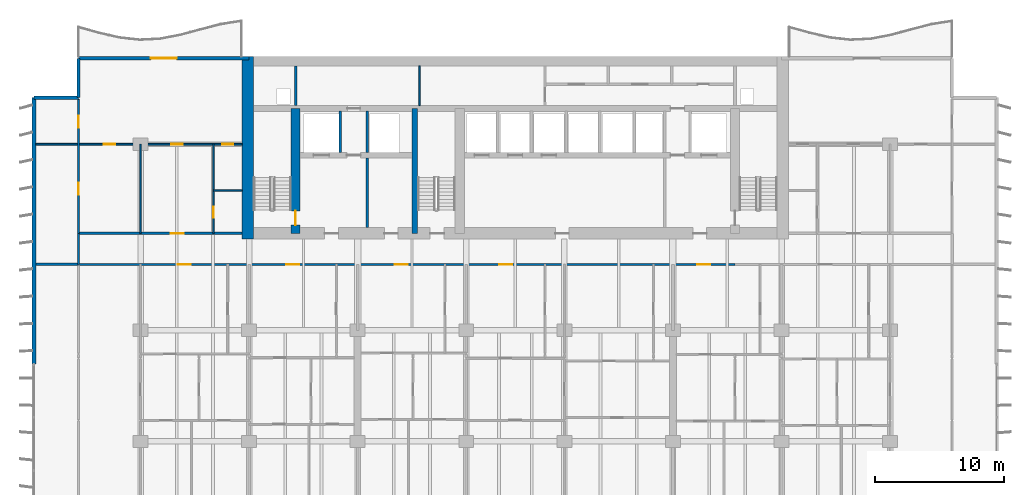
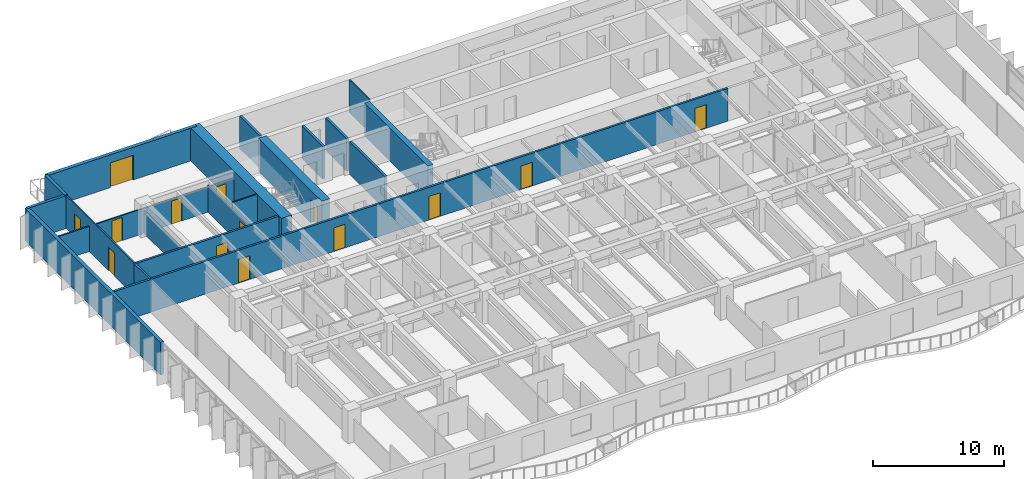
# One storey, part 10 of 18: 21 walls, 14 doors, 14 openings.
"""IFC4 building model written with IfcOpenShell, lengths in metres."""

from ifc_helpers import new_model, si_unit, direction, frame, frame_2d, origin, place, context, subcontext, project, spatial, rectangle, extrude, material, layer, layer_set, type_object, element, fill, save


model = new_model("IFC4")

# Units and contexts
model_context = context("Model", 3, precision=1e-05, world=origin(), true_north=direction((0.0, 1.0)))
body_context = subcontext(model_context, "Body", "Model", "MODEL_VIEW")
ifc_project = project(units=[si_unit("LENGTHUNIT", "METRE"), si_unit("AREAUNIT", "SQUARE_METRE"), si_unit("VOLUMEUNIT", "CUBIC_METRE"), si_unit("PLANEANGLEUNIT", "RADIAN"), si_unit("MASSUNIT", "GRAM", prefix="KILO")], contexts=[model_context])

# Site, building, storey
site_placement = place(None, origin())
site = spatial("IfcSite", under=ifc_project, at=site_placement, CompositionType="ELEMENT")
building_placement = place(site_placement, origin())
building = spatial("IfcBuilding", under=site, at=building_placement, Name="Caelmar Bay Residences", CompositionType="ELEMENT")
storey_placement = place(building_placement, frame((0.0, 0.0, 36.60009765625)))
storey = spatial("IfcBuildingStorey", under=building, at=storey_placement, Name="L08", CompositionType="ELEMENT", Elevation=36.60009765625)

# Wall, opening, door
ifc_material_1 = material(Name="Concrete f'c 55 MPa (8,000 psi)", Category="concrete")
ifc_layer_1 = layer(ifc_material_1, 0.699951171875)
ifc_layer_set_1 = layer_set([ifc_layer_1], Name="Concrete f'c 55 MPa (8,000 psi)")
wall_type_1 = type_object("IfcWallType", Name="SW-COR-700", PredefinedType="SHEAR", material=ifc_layer_set_1)
wall_1_placement = place(storey_placement, frame((21.89990234375, 36.89990234375, 0.0), z_axis=(0.0, 0.0, 1.0), x_axis=(0.0, 1.0, 0.0)))
wall_1 = element("IfcWall", 1, at=wall_1_placement, inside=storey, type_object=wall_type_1, Name="L08 Core Structural Web Wall ST1E", PredefinedType="SHEAR", context=body_context, shape_type="SweptSolid", body=[
    extrude(rectangle(XDim=9.675048828125, YDim=0.699951171875, at=frame_2d((4.83740234375, 0.0))), origin(), (0.0, 0.0, 1.0), 3.0498046875),
])
opening_1_placement = place(wall_1_placement, frame((0.64990234375, 0.0, 0.0)))
opening_1 = element("IfcOpeningElement", 2, at=opening_1_placement, cuts=wall_1, Name="Opening D-L08-108", PredefinedType="OPENING", context=body_context, shape_type="SweptSolid", body=[
    extrude(rectangle(XDim=1.10009765625, YDim=2.14990234375, at=frame_2d((0.550048828125, 1.074951171875))), frame((0.0, 0.35986328125, 0.0), z_axis=(0.0, -1.0, 0.0), x_axis=(1.0, 0.0, 0.0)), (0.0, 0.0, 1.0), 0.719970703125),
])
ifc_material_2 = material(Name="Fire-rated steel and walnut architectural door assembly", Category="steel")
ifc_layer_2 = layer(ifc_material_2, 0.050048828125)
ifc_layer_set_2 = layer_set([ifc_layer_2], Name="Fire-rated steel and walnut architectural door assembly")
door_type_1 = type_object("IfcDoorType", Name="D-STAIR-1100", OperationType="NOTDEFINED", PredefinedType="DOOR", material=ifc_layer_set_2)
door_1_placement = place(opening_1_placement, origin())
door_1 = element("IfcDoor", 3, at=door_1_placement, inside=storey, type_object=door_type_1, Name="L08 Firefighting Lobby West Door", OperationType="SINGLE_SWING_RIGHT", OverallHeight=2.14990234375, OverallWidth=1.10009765625, PredefinedType="DOOR", context=body_context, shape_type="SweptSolid", body=[
    extrude(rectangle(XDim=1.10009765625, YDim=2.14990234375, at=frame_2d((0.550048828125, 1.074951171875))), frame((0.0, 0.02490234375, 0.0), z_axis=(0.0, -1.0, 0.0), x_axis=(1.0, 0.0, 0.0)), (0.0, 0.0, 1.0), 0.050048828125),
])
fill(opening_1, door_1)

# Walls
ifc_material_3 = material(Name="Concrete f'c 70 MPa (10,000 psi)", Category="concrete")
ifc_layer_3 = layer(ifc_material_3, 0.89990234375)
ifc_layer_set_3 = layer_set([ifc_layer_3], Name="Concrete f'c 70 MPa (10,000 psi)")
wall_type_2 = type_object("IfcWallType", Name="SW-COR-900", PredefinedType="SHEAR", material=ifc_layer_set_3)
wall_2_placement = place(storey_placement, frame((18.199951171875, 36.449951171875, 0.0), z_axis=(0.0, 0.0, 1.0), x_axis=(0.0, 1.0, 0.0)))
element("IfcWall", 4, at=wall_2_placement, inside=storey, type_object=wall_type_2, Name="L08 Rear Core West Shear Wall", PredefinedType="SHEAR", context=body_context, shape_type="SweptSolid", body=[
    extrude(rectangle(XDim=14.150146484375, YDim=0.89990234375, at=frame_2d((7.0751953125, 0.0))), origin(), (0.0, 0.0, 1.0), 3.0498046875),
])
ifc_layer_4 = layer(ifc_material_3, 0.449951171875)
ifc_layer_set_4 = layer_set([ifc_layer_4], Name="Concrete f'c 70 MPa (10,000 psi)")
wall_type_3 = type_object("IfcWallType", Name="SW-WEB-450", PredefinedType="SHEAR", material=ifc_layer_set_4)
wall_3_placement = place(storey_placement, frame((31.125, 36.89990234375, 0.0), z_axis=(0.0, 0.0, 1.0), x_axis=(0.0, 1.0, 0.0)))
element("IfcWall", 5, at=wall_3_placement, inside=storey, type_object=wall_type_3, Name="L08 Core Structural Web Wall ST3W", PredefinedType="SHEAR", context=body_context, shape_type="SweptSolid", body=[
    extrude(rectangle(XDim=9.675048828125, YDim=0.449951171875, at=frame_2d((4.83740234375, 0.0))), origin(), (0.0, 0.0, 1.0), 3.0498046875),
])
ifc_material_4 = material(Name="Double-stud acoustic fire-rated gypsum partition 180 mm")
ifc_layer_5 = layer(ifc_material_4, 0.179931640625)
ifc_layer_set_5 = layer_set([ifc_layer_5], Name="Double-stud acoustic fire-rated gypsum partition 180 mm")
wall_type_4 = type_object("IfcWallType", Name="W-COR-200", PredefinedType="PARTITIONING", material=ifc_layer_set_5)
wall_4_placement = place(storey_placement, frame((5.10009765625, 34.5048828125, 0.0), z_axis=(0.0, 0.0, 1.0), x_axis=(0.0, 1.0, 0.0)))
element("IfcWall", 6, at=wall_4_placement, inside=storey, type_object=wall_type_4, Name="L08 Partition Wall V005", PredefinedType="PARTITIONING", context=body_context, shape_type="SweptSolid", body=[
    extrude(rectangle(XDim=2.39501953125, YDim=0.179931640625, at=frame_2d((1.197509765625, 0.0))), origin(), (0.0, 0.0, 1.0), 3.0498046875),
])

# Wall, openings, doors
wall_5_placement = place(storey_placement, frame((5.10498046875, 34.5, 0.0), z_axis=(0.0, 0.0, 1.0), x_axis=(1.0, 0.0, 0.0)))
wall_5 = element("IfcWall", 7, at=wall_5_placement, inside=storey, type_object=wall_type_4, Name="L08 Partition Wall H127", PredefinedType="PARTITIONING", context=body_context, shape_type="SweptSolid", body=[
    extrude(rectangle(XDim=50.781005859375, YDim=0.179931640625, at=frame_2d((25.390625, 0.0))), origin(), (0.0, 0.0, 1.0), 3.0498046875),
])
opening_2_placement = place(wall_5_placement, frame((7.669921875, 0.0, 0.0)))
opening_2 = element("IfcOpeningElement", 8, at=opening_2_placement, cuts=wall_5, Name="Opening D-L08-121", PredefinedType="OPENING", context=body_context, shape_type="SweptSolid", body=[
    extrude(rectangle(XDim=1.0, YDim=2.199951171875, at=frame_2d((0.5, 1.10009765625))), frame((0.0, 0.099853515625, 0.0), z_axis=(0.0, -1.0, 0.0), x_axis=(1.0, 0.0, 0.0)), (0.0, 0.0, 1.0), 0.199951171875),
])
opening_3_placement = place(wall_5_placement, frame((16.070068359375, 0.0, 0.0)))
opening_3 = element("IfcOpeningElement", 9, at=opening_3_placement, cuts=wall_5, Name="Opening D-L08-129", PredefinedType="OPENING", context=body_context, shape_type="SweptSolid", body=[
    extrude(rectangle(XDim=1.0, YDim=2.199951171875, at=frame_2d((0.5, 1.10009765625))), frame((0.0, 0.099853515625, 0.0), z_axis=(0.0, -1.0, 0.0), x_axis=(1.0, 0.0, 0.0)), (0.0, 0.0, 1.0), 0.199951171875),
])
opening_4_placement = place(wall_5_placement, frame((24.469970703125, 0.0, 0.0)))
opening_4 = element("IfcOpeningElement", 10, at=opening_4_placement, cuts=wall_5, Name="Opening D-L08-136", PredefinedType="OPENING", context=body_context, shape_type="SweptSolid", body=[
    extrude(rectangle(XDim=1.0, YDim=2.199951171875, at=frame_2d((0.5, 1.10009765625))), frame((0.0, 0.099853515625, 0.0), z_axis=(0.0, -1.0, 0.0), x_axis=(1.0, 0.0, 0.0)), (0.0, 0.0, 1.0), 0.199951171875),
])
opening_5_placement = place(wall_5_placement, frame((32.544921875, 0.0, 0.0)))
opening_5 = element("IfcOpeningElement", 11, at=opening_5_placement, cuts=wall_5, Name="Opening D-L08-143", PredefinedType="OPENING", context=body_context, shape_type="SweptSolid", body=[
    extrude(rectangle(XDim=1.0, YDim=2.199951171875, at=frame_2d((0.5, 1.10009765625))), frame((0.0, 0.099853515625, 0.0), z_axis=(0.0, -1.0, 0.0), x_axis=(1.0, 0.0, 0.0)), (0.0, 0.0, 1.0), 0.199951171875),
])
opening_6_placement = place(wall_5_placement, frame((47.887939453125, 0.0, 0.0)))
opening_6 = element("IfcOpeningElement", 12, at=opening_6_placement, cuts=wall_5, Name="Opening D-L08-152", PredefinedType="OPENING", context=body_context, shape_type="SweptSolid", body=[
    extrude(rectangle(XDim=1.0, YDim=2.199951171875, at=frame_2d((0.5, 1.10009765625))), frame((0.0, 0.099853515625, 0.0), z_axis=(0.0, -1.0, 0.0), x_axis=(1.0, 0.0, 0.0)), (0.0, 0.0, 1.0), 0.199951171875),
])
ifc_layer_6 = layer(ifc_material_2, 0.050048828125)
ifc_layer_set_6 = layer_set([ifc_layer_6], Name="Fire-rated steel and walnut architectural door assembly")
door_type_2 = type_object("IfcDoorType", Name="D-UNIT-1000", OperationType="NOTDEFINED", PredefinedType="DOOR", material=ifc_layer_set_6)
door_2_placement = place(opening_2_placement, origin())
door_2 = element("IfcDoor", 13, at=door_2_placement, inside=storey, type_object=door_type_2, Name="L08 Residence 01 Apartment Hall Door", OperationType="SINGLE_SWING_LEFT", OverallHeight=2.199951171875, OverallWidth=1.0, PredefinedType="DOOR", context=body_context, shape_type="SweptSolid", body=[
    extrude(rectangle(XDim=1.0, YDim=2.199951171875, at=frame_2d((0.5, 1.10009765625))), frame((0.0, 0.02490234375, 0.0), z_axis=(0.0, -1.0, 0.0), x_axis=(1.0, 0.0, 0.0)), (0.0, 0.0, 1.0), 0.050048828125),
])
fill(opening_2, door_2)
door_3_placement = place(opening_3_placement, origin())
door_3 = element("IfcDoor", 14, at=door_3_placement, inside=storey, type_object=door_type_2, Name="L08 Residence 02 Apartment Hall Door", OperationType="SINGLE_SWING_LEFT", OverallHeight=2.199951171875, OverallWidth=1.0, PredefinedType="DOOR", context=body_context, shape_type="SweptSolid", body=[
    extrude(rectangle(XDim=1.0, YDim=2.199951171875, at=frame_2d((0.5, 1.10009765625))), frame((0.0, 0.02490234375, 0.0), z_axis=(0.0, -1.0, 0.0), x_axis=(1.0, 0.0, 0.0)), (0.0, 0.0, 1.0), 0.050048828125),
])
fill(opening_3, door_3)
door_4_placement = place(opening_4_placement, origin())
door_4 = element("IfcDoor", 15, at=door_4_placement, inside=storey, type_object=door_type_2, Name="L08 Residence 03 Apartment Hall Door", OperationType="SINGLE_SWING_RIGHT", OverallHeight=2.199951171875, OverallWidth=1.0, PredefinedType="DOOR", context=body_context, shape_type="SweptSolid", body=[
    extrude(rectangle(XDim=1.0, YDim=2.199951171875, at=frame_2d((0.5, 1.10009765625))), frame((0.0, 0.02490234375, 0.0), z_axis=(0.0, -1.0, 0.0), x_axis=(1.0, 0.0, 0.0)), (0.0, 0.0, 1.0), 0.050048828125),
])
fill(opening_4, door_4)
door_5_placement = place(opening_5_placement, origin())
door_5 = element("IfcDoor", 16, at=door_5_placement, inside=storey, type_object=door_type_2, Name="L08 Residence 04 Apartment Hall Door", OperationType="SINGLE_SWING_LEFT", OverallHeight=2.199951171875, OverallWidth=1.0, PredefinedType="DOOR", context=body_context, shape_type="SweptSolid", body=[
    extrude(rectangle(XDim=1.0, YDim=2.199951171875, at=frame_2d((0.5, 1.10009765625))), frame((0.0, 0.02490234375, 0.0), z_axis=(0.0, -1.0, 0.0), x_axis=(1.0, 0.0, 0.0)), (0.0, 0.0, 1.0), 0.050048828125),
])
fill(opening_5, door_5)
door_6_placement = place(opening_6_placement, origin())
door_6 = element("IfcDoor", 17, at=door_6_placement, inside=storey, type_object=door_type_2, Name="L08 Residence 05 Apartment Hall Door", OperationType="SINGLE_SWING_RIGHT", OverallHeight=2.199951171875, OverallWidth=1.0, PredefinedType="DOOR", context=body_context, shape_type="SweptSolid", body=[
    extrude(rectangle(XDim=1.0, YDim=2.199951171875, at=frame_2d((0.5, 1.10009765625))), frame((0.0, 0.02490234375, 0.0), z_axis=(0.0, -1.0, 0.0), x_axis=(1.0, 0.0, 0.0)), (0.0, 0.0, 1.0), 0.050048828125),
])
fill(opening_6, door_6)

# Wall, opening, door
wall_6_placement = place(storey_placement, frame((5.10009765625, 36.89990234375, 0.0), z_axis=(0.0, 0.0, 1.0), x_axis=(1.0, 0.0, 0.0)))
wall_6 = element("IfcWall", 18, at=wall_6_placement, inside=storey, type_object=wall_type_4, Name="L08 Partition Wall H130", PredefinedType="PARTITIONING", context=body_context, shape_type="SweptSolid", body=[
    extrude(rectangle(XDim=12.64501953125, YDim=0.179931640625, at=frame_2d((6.322509765625, 0.0))), origin(), (0.0, 0.0, 1.0), 3.0498046875),
])
opening_7_placement = place(wall_6_placement, frame((7.125, 0.0, 0.0)))
opening_7 = element("IfcOpeningElement", 19, at=opening_7_placement, cuts=wall_6, Name="Opening D-L08-170", PredefinedType="OPENING", context=body_context, shape_type="SweptSolid", body=[
    extrude(rectangle(XDim=1.0, YDim=2.199951171875, at=frame_2d((0.5, 1.10009765625))), frame((0.0, 0.099853515625, 0.0), z_axis=(0.0, -1.0, 0.0), x_axis=(1.0, 0.0, 0.0)), (0.0, 0.0, 1.0), 0.199951171875),
])
door_7_placement = place(opening_7_placement, origin())
door_7 = element("IfcDoor", 20, at=door_7_placement, inside=storey, type_object=door_type_2, Name="L08 Residence WA Kitchen Door", OperationType="SINGLE_SWING_RIGHT", OverallHeight=2.199951171875, OverallWidth=1.0, PredefinedType="DOOR", context=body_context, shape_type="SweptSolid", body=[
    extrude(rectangle(XDim=1.0, YDim=2.199951171875, at=frame_2d((0.5, 1.10009765625))), frame((0.0, 0.02490234375, 0.0), z_axis=(0.0, -1.0, 0.0), x_axis=(1.0, 0.0, 0.0)), (0.0, 0.0, 1.0), 0.050048828125),
])
fill(opening_7, door_7)

# Walls
ifc_material_5 = material(Name="Precast concrete f'c 40 MPa (6,000 psi)", Category="concrete")
ifc_layer_7 = layer(ifc_material_5, 0.25)
ifc_layer_set_7 = layer_set([ifc_layer_7], Name="Precast concrete f'c 40 MPa (6,000 psi)")
wall_type_5 = type_object("IfcWallType", Name="W-EXT-250", PredefinedType="ELEMENTEDWALL", material=ifc_layer_set_7)
wall_7_placement = place(storey_placement, frame((1.64990234375, 47.39990234375, 0.0), z_axis=(0.0, 0.0, 1.0), x_axis=(1.0, 0.0, 0.0)))
element("IfcWall", 21, at=wall_7_placement, inside=storey, type_object=wall_type_5, Name="L08 NNW-H Notch Wall", PredefinedType="ELEMENTEDWALL", context=body_context, shape_type="SweptSolid", body=[
    extrude(rectangle(XDim=3.4501953125, YDim=0.25, at=frame_2d((1.72509765625, 0.0))), origin(), (0.0, 0.0, 1.0), 3.0498046875),
])
wall_8_placement = place(storey_placement, frame((5.10009765625, 47.39990234375, 0.0), z_axis=(0.0, 0.0, 1.0), x_axis=(0.0, 1.0, 0.0)))
element("IfcWall", 22, at=wall_8_placement, inside=storey, type_object=wall_type_5, Name="L08 NNW-V Notch Wall", PredefinedType="ELEMENTEDWALL", context=body_context, shape_type="SweptSolid", body=[
    extrude(rectangle(XDim=3.050048828125, YDim=0.25, at=frame_2d((1.52490234375, 0.0))), origin(), (0.0, 0.0, 1.0), 3.0498046875),
])
ifc_layer_8 = layer(ifc_material_5, 0.300048828125)
ifc_layer_set_8 = layer_set([ifc_layer_8], Name="Precast concrete f'c 40 MPa (6,000 psi)")
wall_type_6 = type_object("IfcWallType", Name="W-EXT-300", PredefinedType="STANDARD", material=ifc_layer_set_8)
wall_9_placement = place(storey_placement, frame((1.64990234375, 26.800048828125, 0.0), z_axis=(0.0, 0.0, 1.0), x_axis=(0.0, 1.0, 0.0)))
element("IfcWall", 23, at=wall_9_placement, inside=storey, type_object=wall_type_6, Name="L08 West Rear Exterior Wall", PredefinedType="STANDARD", context=body_context, shape_type="SweptSolid", body=[
    extrude(rectangle(XDim=20.599853515625, YDim=0.300048828125, at=frame_2d((10.2998046875, 0.0))), origin(), (0.0, 0.0, 1.0), 3.0498046875),
])

# Wall, opening, door
wall_10_placement = place(storey_placement, frame((5.10009765625, 50.449951171875, 0.0), z_axis=(0.0, 0.0, 1.0), x_axis=(1.0, 0.0, 0.0)))
wall_10 = element("IfcWall", 24, at=wall_10_placement, inside=storey, type_object=wall_type_6, Name="L08 North-West Wing Exterior Wall", PredefinedType="STANDARD", context=body_context, shape_type="SweptSolid", body=[
    extrude(rectangle(XDim=13.199951171875, YDim=0.300048828125, at=frame_2d((6.60009765625, 0.0))), origin(), (0.0, 0.0, 1.0), 3.0498046875),
])
opening_8_placement = place(wall_10_placement, frame((5.60009765625, 0.0, 0.0)))
opening_8 = element("IfcOpeningElement", 25, at=opening_8_placement, cuts=wall_10, Name="Opening L08-BDNW", PredefinedType="OPENING", context=body_context, shape_type="SweptSolid", body=[
    extrude(rectangle(XDim=2.0, YDim=2.300048828125, at=frame_2d((1.0, 1.14990234375))), frame((0.0, 0.159912109375, 0.0), z_axis=(0.0, -1.0, 0.0), x_axis=(1.0, 0.0, 0.0)), (0.0, 0.0, 1.0), 0.320068359375),
])
ifc_material_6 = material(Name="Anodised bronze thermally broken sliding glass door", Category="glass")
ifc_layer_9 = layer(ifc_material_6, 0.050048828125)
ifc_layer_set_9 = layer_set([ifc_layer_9], Name="Anodised bronze thermally broken sliding glass door")
door_type_3 = type_object("IfcDoorType", Name="D-BAL-2000", OperationType="DOUBLE_DOOR_SLIDING", PredefinedType="DOOR", material=ifc_layer_set_9)
door_8_placement = place(opening_8_placement, origin())
door_8 = element("IfcDoor", 26, at=door_8_placement, inside=storey, type_object=door_type_3, Name="L08 North-West Balcony Door", OperationType="DOUBLE_DOOR_SLIDING", OverallHeight=2.300048828125, OverallWidth=2.0, PredefinedType="DOOR", context=body_context, shape_type="SweptSolid", body=[
    extrude(rectangle(XDim=2.0, YDim=2.300048828125, at=frame_2d((1.0, 1.14990234375))), frame((0.0, 0.02490234375, 0.0), z_axis=(0.0, -1.0, 0.0), x_axis=(1.0, 0.0, 0.0)), (0.0, 0.0, 1.0), 0.050048828125),
])
fill(opening_8, door_8)

# Walls
ifc_material_7 = material(Name="Fire-rated masonry and gypsum shaftliner assembly 200 mm", Category="masonry")
ifc_layer_10 = layer(ifc_material_7, 0.199951171875)
ifc_layer_set_10 = layer_set([ifc_layer_10], Name="Fire-rated masonry and gypsum shaftliner assembly 200 mm")
wall_type_7 = type_object("IfcWallType", Name="W-FSAE-200", PredefinedType="PARTITIONING", material=ifc_layer_set_10)
wall_11_placement = place(storey_placement, frame((21.89990234375, 46.794921875, 0.0), z_axis=(0.0, 0.0, 1.0), x_axis=(0.0, 1.0, 0.0)))
element("IfcWall", 27, at=wall_11_placement, inside=storey, type_object=wall_type_7, Name="L08 Partition Wall V024", PredefinedType="PARTITIONING", context=body_context, shape_type="SweptSolid", body=[
    extrude(rectangle(XDim=3.06005859375, YDim=0.199951171875, at=frame_2d((1.530029296875, 0.0))), origin(), (0.0, 0.0, 1.0), 3.0498046875),
])
wall_12_placement = place(storey_placement, frame((25.35009765625, 43.169921875, 0.0), z_axis=(0.0, 0.0, 1.0), x_axis=(0.0, 1.0, 0.0)))
element("IfcWall", 28, at=wall_12_placement, inside=storey, type_object=wall_type_7, Name="L08 Partition Wall V031", PredefinedType="PARTITIONING", context=body_context, shape_type="SweptSolid", body=[
    extrude(rectangle(XDim=3.18505859375, YDim=0.199951171875, at=frame_2d((1.592529296875, 0.0))), origin(), (0.0, 0.0, 1.0), 3.0498046875),
])
wall_13_placement = place(storey_placement, frame((27.449951171875, 37.344970703125, 0.0), z_axis=(0.0, 0.0, 1.0), x_axis=(0.0, 1.0, 0.0)))
element("IfcWall", 29, at=wall_13_placement, inside=storey, type_object=wall_type_7, Name="L08 Partition Wall V035", PredefinedType="PARTITIONING", context=body_context, shape_type="SweptSolid", body=[
    extrude(rectangle(XDim=5.385009765625, YDim=0.199951171875, at=frame_2d((2.6923828125, 0.0))), origin(), (0.0, 0.0, 1.0), 3.0498046875),
])
wall_14_placement = place(storey_placement, frame((27.449951171875, 43.169921875, 0.0), z_axis=(0.0, 0.0, 1.0), x_axis=(0.0, 1.0, 0.0)))
element("IfcWall", 30, at=wall_14_placement, inside=storey, type_object=wall_type_7, Name="L08 Partition Wall V036", PredefinedType="PARTITIONING", context=body_context, shape_type="SweptSolid", body=[
    extrude(rectangle(XDim=3.18505859375, YDim=0.199951171875, at=frame_2d((1.592529296875, 0.0))), origin(), (0.0, 0.0, 1.0), 3.0498046875),
])

# Wall, openings, doors
ifc_material_8 = material(Name="Acoustic metal-stud gypsum partition 120 mm")
ifc_layer_11 = layer(ifc_material_8, 0.1201171875)
ifc_layer_set_11 = layer_set([ifc_layer_11], Name="Acoustic metal-stud gypsum partition 120 mm")
wall_type_8 = type_object("IfcWallType", Name="W-PRT-120", PredefinedType="PARTITIONING", material=ifc_layer_set_11)
wall_15_placement = place(storey_placement, frame((5.10009765625, 36.905029296875, 0.0), z_axis=(0.0, 0.0, 1.0), x_axis=(0.0, 1.0, 0.0)))
wall_15 = element("IfcWall", 31, at=wall_15_placement, inside=storey, type_object=wall_type_8, Name="L08 Partition Wall V006", PredefinedType="PARTITIONING", context=body_context, shape_type="SweptSolid", body=[
    extrude(rectangle(XDim=10.375, YDim=0.1201171875, at=frame_2d((5.1875, 0.0))), origin(), (0.0, 0.0, 1.0), 3.0498046875),
])
opening_9_placement = place(wall_15_placement, frame((2.99755859375, 0.0, 0.0)))
opening_9 = element("IfcOpeningElement", 32, at=opening_9_placement, cuts=wall_15, Name="Opening D-L08-174", PredefinedType="OPENING", context=body_context, shape_type="SweptSolid", body=[
    extrude(rectangle(XDim=0.89990234375, YDim=2.14990234375, at=frame_2d((0.449951171875, 1.074951171875))), frame((0.0, 0.070068359375, 0.0), z_axis=(0.0, -1.0, 0.0), x_axis=(1.0, 0.0, 0.0)), (0.0, 0.0, 1.0), 0.14013671875),
])
opening_10_placement = place(wall_15_placement, frame((8.18505859375, 0.0, 0.0)))
opening_10 = element("IfcOpeningElement", 33, at=opening_10_placement, cuts=wall_15, Name="Opening D-L08-175", PredefinedType="OPENING", context=body_context, shape_type="SweptSolid", body=[
    extrude(rectangle(XDim=0.89990234375, YDim=2.14990234375, at=frame_2d((0.449951171875, 1.074951171875))), frame((0.0, 0.070068359375, 0.0), z_axis=(0.0, -1.0, 0.0), x_axis=(1.0, 0.0, 0.0)), (0.0, 0.0, 1.0), 0.14013671875),
])
ifc_material_9 = material(Name="Solid walnut timber interior door leaf and frame", Category="wood")
ifc_layer_12 = layer(ifc_material_9, 0.050048828125)
ifc_layer_set_12 = layer_set([ifc_layer_12], Name="Solid walnut timber interior door leaf and frame")
door_type_4 = type_object("IfcDoorType", Name="D-ROOM-900", OperationType="NOTDEFINED", PredefinedType="DOOR", material=ifc_layer_set_12)
door_9_placement = place(opening_9_placement, origin())
door_9 = element("IfcDoor", 34, at=door_9_placement, inside=storey, type_object=door_type_4, Name="L08 Residence WA Sun Study Door", OperationType="SINGLE_SWING_RIGHT", OverallHeight=2.14990234375, OverallWidth=0.89990234375, PredefinedType="DOOR", context=body_context, shape_type="SweptSolid", body=[
    extrude(rectangle(XDim=0.89990234375, YDim=2.14990234375, at=frame_2d((0.449951171875, 1.074951171875))), frame((0.0, 0.02490234375, 0.0), z_axis=(0.0, -1.0, 0.0), x_axis=(1.0, 0.0, 0.0)), (0.0, 0.0, 1.0), 0.050048828125),
])
fill(opening_9, door_9)
door_10_placement = place(opening_10_placement, origin())
door_10 = element("IfcDoor", 35, at=door_10_placement, inside=storey, type_object=door_type_4, Name="L08 Residence WA North Sitting Alcove Door", OperationType="SINGLE_SWING_LEFT", OverallHeight=2.14990234375, OverallWidth=0.89990234375, PredefinedType="DOOR", context=body_context, shape_type="SweptSolid", body=[
    extrude(rectangle(XDim=0.89990234375, YDim=2.14990234375, at=frame_2d((0.449951171875, 1.074951171875))), frame((0.0, 0.02490234375, 0.0), z_axis=(0.0, -1.0, 0.0), x_axis=(1.0, 0.0, 0.0)), (0.0, 0.0, 1.0), 0.050048828125),
])
fill(opening_10, door_10)

# Wall
wall_16_placement = place(storey_placement, frame((9.89990234375, 36.89990234375, 0.0), z_axis=(0.0, 0.0, 1.0), x_axis=(0.0, 1.0, 0.0)))
element("IfcWall", 36, at=wall_16_placement, inside=storey, type_object=wall_type_8, Name="L08 Partition Wall V012", PredefinedType="PARTITIONING", context=body_context, shape_type="SweptSolid", body=[
    extrude(rectangle(XDim=6.900146484375, YDim=0.1201171875, at=frame_2d((3.4501953125, 0.0))), origin(), (0.0, 0.0, 1.0), 2.10986328125),
])

# Wall, opening, door
wall_17_placement = place(storey_placement, frame((15.550048828125, 36.89990234375, 0.0), z_axis=(0.0, 0.0, 1.0), x_axis=(0.0, 1.0, 0.0)))
wall_17 = element("IfcWall", 37, at=wall_17_placement, inside=storey, type_object=wall_type_8, Name="L08 Partition Wall V017", PredefinedType="PARTITIONING", context=body_context, shape_type="SweptSolid", body=[
    extrude(rectangle(XDim=6.900146484375, YDim=0.1201171875, at=frame_2d((3.4501953125, 0.0))), origin(), (0.0, 0.0, 1.0), 2.4990234375),
])
opening_11_placement = place(wall_17_placement, frame((1.23095703125, 0.0, 0.0)))
opening_11 = element("IfcOpeningElement", 38, at=opening_11_placement, cuts=wall_17, Name="Opening D-L08-172", PredefinedType="OPENING", context=body_context, shape_type="SweptSolid", body=[
    extrude(rectangle(XDim=0.85009765625, YDim=2.10009765625, at=frame_2d((0.425048828125, 1.050048828125))), frame((0.0, 0.070068359375, 0.0), z_axis=(0.0, -1.0, 0.0), x_axis=(1.0, 0.0, 0.0)), (0.0, 0.0, 1.0), 0.14013671875),
])
ifc_layer_13 = layer(ifc_material_9, 0.050048828125)
ifc_layer_set_13 = layer_set([ifc_layer_13], Name="Solid walnut timber interior door leaf and frame")
door_type_5 = type_object("IfcDoorType", Name="D-BATH-850", OperationType="NOTDEFINED", PredefinedType="DOOR", material=ifc_layer_set_13)
door_11_placement = place(opening_11_placement, origin())
door_11 = element("IfcDoor", 39, at=door_11_placement, inside=storey, type_object=door_type_5, Name="L08 Residence WA Walk-In Closet Door", OperationType="SINGLE_SWING_RIGHT", OverallHeight=2.10009765625, OverallWidth=0.85009765625, PredefinedType="DOOR", context=body_context, shape_type="SweptSolid", body=[
    extrude(rectangle(XDim=0.85009765625, YDim=2.10009765625, at=frame_2d((0.425048828125, 1.050048828125))), frame((0.0, 0.02490234375, 0.0), z_axis=(0.0, -1.0, 0.0), x_axis=(1.0, 0.0, 0.0)), (0.0, 0.0, 1.0), 0.050048828125),
])
fill(opening_11, door_11)

# Walls
wall_18_placement = place(storey_placement, frame((31.5, 46.794921875, 0.0), z_axis=(0.0, 0.0, 1.0), x_axis=(0.0, 1.0, 0.0)))
element("IfcWall", 40, at=wall_18_placement, inside=storey, type_object=wall_type_8, Name="L08 Partition Wall V041", PredefinedType="PARTITIONING", context=body_context, shape_type="SweptSolid", body=[
    extrude(rectangle(XDim=3.06005859375, YDim=0.1201171875, at=frame_2d((1.530029296875, 0.0))), origin(), (0.0, 0.0, 1.0), 3.0498046875),
])
wall_19_placement = place(storey_placement, frame((15.550048828125, 40.2119140625, 0.0), z_axis=(0.0, 0.0, 1.0), x_axis=(1.0, 0.0, 0.0)))
element("IfcWall", 41, at=wall_19_placement, inside=storey, type_object=wall_type_8, Name="L08 Partition Wall H132", PredefinedType="PARTITIONING", context=body_context, shape_type="SweptSolid", body=[
    extrude(rectangle(XDim=2.204833984375, YDim=0.1201171875, at=frame_2d((1.1025390625, 0.0))), origin(), (0.0, 0.0, 1.0), 3.0498046875),
])

# Wall, openings, doors
wall_20_placement = place(storey_placement, frame((1.794921875, 43.800048828125, 0.0), z_axis=(0.0, 0.0, 1.0), x_axis=(1.0, 0.0, 0.0)))
wall_20 = element("IfcWall", 42, at=wall_20_placement, inside=storey, type_object=wall_type_8, Name="L08 Partition Wall H134", PredefinedType="PARTITIONING", context=body_context, shape_type="SweptSolid", body=[
    extrude(rectangle(XDim=15.9599609375, YDim=0.1201171875, at=frame_2d((7.97998046875, 0.0))), origin(), (0.0, 0.0, 1.0), 2.3388671875),
])
opening_12_placement = place(wall_20_placement, frame((5.2548828125, 0.0, 0.0)))
opening_12 = element("IfcOpeningElement", 43, at=opening_12_placement, cuts=wall_20, Name="Opening D-L08-169", PredefinedType="OPENING", context=body_context, shape_type="SweptSolid", body=[
    extrude(rectangle(XDim=0.89990234375, YDim=2.14990234375, at=frame_2d((0.449951171875, 1.074951171875))), frame((0.0, 0.070068359375, 0.0), z_axis=(0.0, -1.0, 0.0), x_axis=(1.0, 0.0, 0.0)), (0.0, 0.0, 1.0), 0.14013671875),
])
opening_13_placement = place(wall_20_placement, frame((10.47998046875, 0.0, 0.0)))
opening_13 = element("IfcOpeningElement", 44, at=opening_13_placement, cuts=wall_20, Name="Opening D-L08-171", PredefinedType="OPENING", context=body_context, shape_type="SweptSolid", body=[
    extrude(rectangle(XDim=0.89990234375, YDim=2.14990234375, at=frame_2d((0.449951171875, 1.074951171875))), frame((0.0, 0.070068359375, 0.0), z_axis=(0.0, -1.0, 0.0), x_axis=(1.0, 0.0, 0.0)), (0.0, 0.0, 1.0), 0.14013671875),
])
opening_14_placement = place(wall_20_placement, frame((14.4326171875, 0.0, 0.0)))
opening_14 = element("IfcOpeningElement", 45, at=opening_14_placement, cuts=wall_20, Name="Opening D-L08-173", PredefinedType="OPENING", context=body_context, shape_type="SweptSolid", body=[
    extrude(rectangle(XDim=0.85009765625, YDim=2.10009765625, at=frame_2d((0.425048828125, 1.050048828125))), frame((0.0, 0.070068359375, 0.0), z_axis=(0.0, -1.0, 0.0), x_axis=(1.0, 0.0, 0.0)), (0.0, 0.0, 1.0), 0.14013671875),
])
door_12_placement = place(opening_14_placement, origin())
door_12 = element("IfcDoor", 46, at=door_12_placement, inside=storey, type_object=door_type_5, Name="L08 Residence WA Bathroom Door", OperationType="SINGLE_SWING_LEFT", OverallHeight=2.10009765625, OverallWidth=0.85009765625, PredefinedType="DOOR", context=body_context, shape_type="SweptSolid", body=[
    extrude(rectangle(XDim=0.85009765625, YDim=2.10009765625, at=frame_2d((0.425048828125, 1.050048828125))), frame((0.0, 0.02490234375, 0.0), z_axis=(0.0, -1.0, 0.0), x_axis=(1.0, 0.0, 0.0)), (0.0, 0.0, 1.0), 0.050048828125),
])
fill(opening_14, door_12)
door_13_placement = place(opening_12_placement, origin())
door_13 = element("IfcDoor", 47, at=door_13_placement, inside=storey, type_object=door_type_4, Name="L08 Residence WA Study Door", OperationType="SINGLE_SWING_LEFT", OverallHeight=2.14990234375, OverallWidth=0.89990234375, PredefinedType="DOOR", context=body_context, shape_type="SweptSolid", body=[
    extrude(rectangle(XDim=0.89990234375, YDim=2.14990234375, at=frame_2d((0.449951171875, 1.074951171875))), frame((0.0, 0.02490234375, 0.0), z_axis=(0.0, -1.0, 0.0), x_axis=(1.0, 0.0, 0.0)), (0.0, 0.0, 1.0), 0.050048828125),
])
fill(opening_12, door_13)
door_14_placement = place(opening_13_placement, origin())
door_14 = element("IfcDoor", 48, at=door_14_placement, inside=storey, type_object=door_type_4, Name="L08 Residence WA Studio Living and Sleeping Room Door", OperationType="SINGLE_SWING_LEFT", OverallHeight=2.14990234375, OverallWidth=0.89990234375, PredefinedType="DOOR", context=body_context, shape_type="SweptSolid", body=[
    extrude(rectangle(XDim=0.89990234375, YDim=2.14990234375, at=frame_2d((0.449951171875, 1.074951171875))), frame((0.0, 0.02490234375, 0.0), z_axis=(0.0, -1.0, 0.0), x_axis=(1.0, 0.0, 0.0)), (0.0, 0.0, 1.0), 0.050048828125),
])
fill(opening_13, door_14)

# Wall
ifc_material_10 = material(Name="Acoustic twin-stud fire-rated inter-tenancy partition 200 mm")
ifc_layer_14 = layer(ifc_material_10, 0.199951171875)
ifc_layer_set_14 = layer_set([ifc_layer_14], Name="Acoustic twin-stud fire-rated inter-tenancy partition 200 mm")
wall_type_9 = type_object("IfcWallType", Name="W-PTY-200", PredefinedType="PARTITIONING", material=ifc_layer_set_14)
wall_21_placement = place(storey_placement, frame((1.794921875, 34.5, 0.0), z_axis=(0.0, 0.0, 1.0), x_axis=(1.0, 0.0, 0.0)))
element("IfcWall", 49, at=wall_21_placement, inside=storey, type_object=wall_type_9, Name="L08 Partition Wall H126", PredefinedType="PARTITIONING", context=body_context, shape_type="SweptSolid", body=[
    extrude(rectangle(XDim=3.30517578125, YDim=0.199951171875, at=frame_2d((1.652587890625, 0.0))), origin(), (0.0, 0.0, 1.0), 3.0498046875),
])

save(model, "model.ifc")
